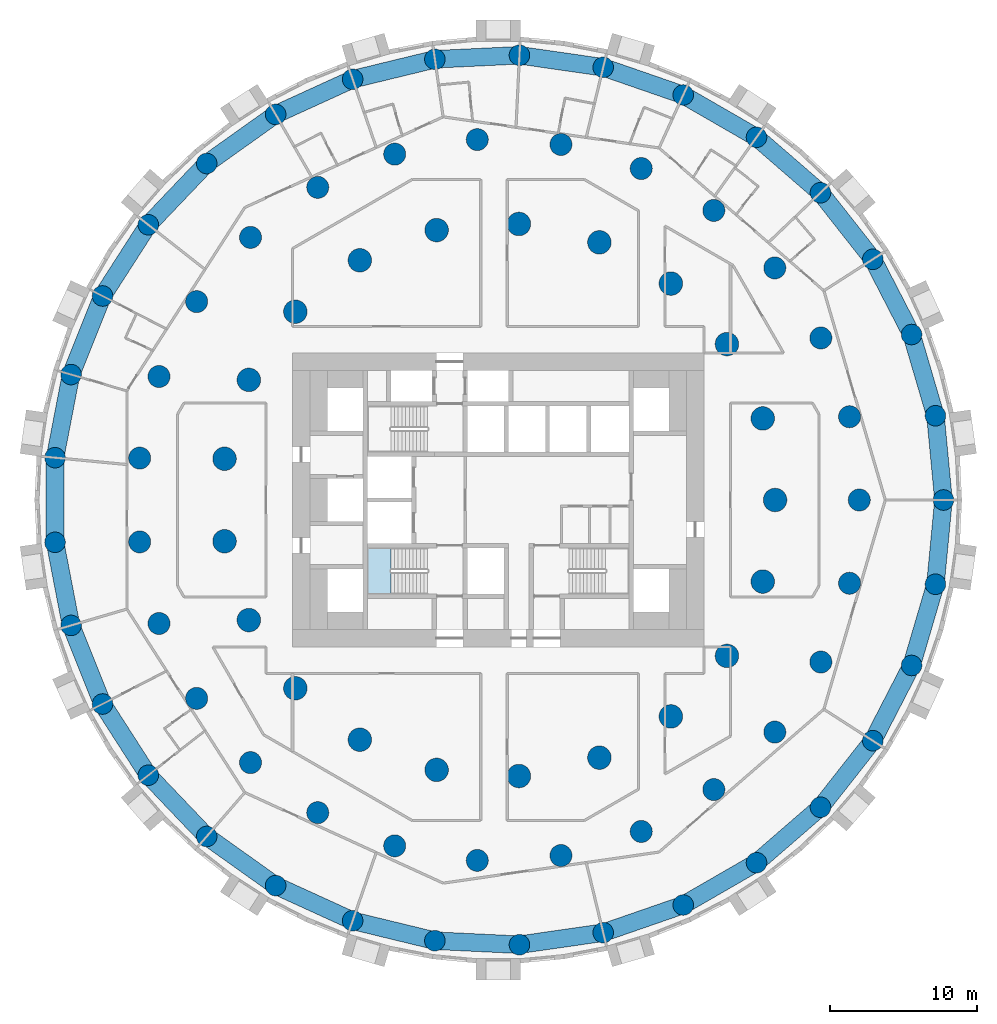
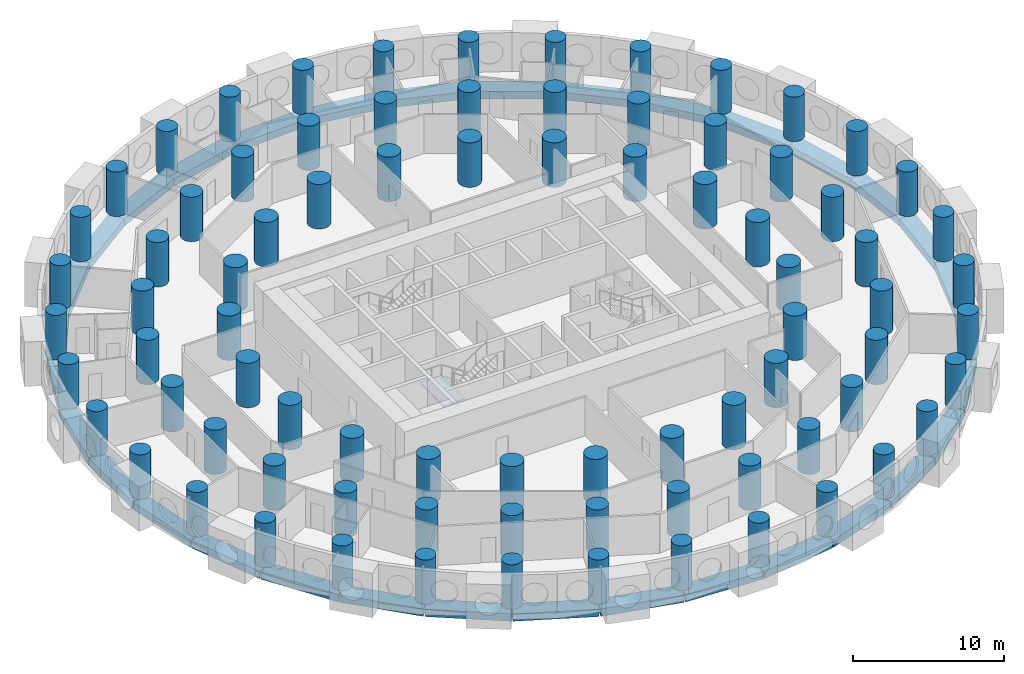
# One storey, part 1 of 12: 81 columns, 33 beams, 1 slab, 1 element without a shape of its own.
"""IFC4 building model written with IfcOpenShell, lengths in metres."""

from ifc_helpers import new_model, si_unit, direction, frame, origin, origin_2d, place, context, subcontext, project, spatial, polyline, rectangle, circle, outline, extrude, material, layer, layer_set, material_profile, profile_set, type_object, element, aggregate, save


model = new_model("IFC4")

# Units and contexts
model_context = context("Model", 3, precision=1e-05, world=origin(), true_north=direction((0.0, 1.0)))
body_context = subcontext(model_context, "Body", "Model", "MODEL_VIEW")
ifc_project = project(units=[si_unit("LENGTHUNIT", "METRE"), si_unit("AREAUNIT", "SQUARE_METRE"), si_unit("VOLUMEUNIT", "CUBIC_METRE"), si_unit("PLANEANGLEUNIT", "RADIAN"), si_unit("MASSUNIT", "GRAM", prefix="KILO")], contexts=[model_context])

# Site, building, storey
site_placement = place(None, origin())
site = spatial("IfcSite", under=ifc_project, at=site_placement, CompositionType="ELEMENT")
building_placement = place(site_placement, origin())
building = spatial("IfcBuilding", under=site, at=building_placement, Name="Tracery Tower", CompositionType="ELEMENT")
storey_placement = place(building_placement, frame((0.0, 0.0, 57.0)))
storey = spatial("IfcBuildingStorey", under=building, at=storey_placement, Name="L13", CompositionType="ELEMENT", Elevation=57.0)

# Columns
ifc_material_1 = material(Name="Concrete C60/75", Category="concrete")
ifc_material_profile_1 = material_profile(ifc_material_1, circle(Radius=0.699951171875, at=origin_2d()), Name="RC D1400")
ifc_profile_set_1 = profile_set([ifc_material_profile_1], Name="Concrete C60/75")
column_type_1 = type_object("IfcColumnType", Name="Ring 0 column 1400", PredefinedType="COLUMN", material=ifc_profile_set_1)
for number, where, z_axis, x_axis, name in (
    (1, (30.274658203125, 0.0, 0.0), (0.0, 0.0, 1.0), (1.0, 0.0, 0.0), "Ring 0 column 00 at L13"),
    (2, (29.7275390625, 5.7294921875, 0.0), (0.0, 0.0, 1.0), (1.0, 0.0, 0.0), "Ring 0 column 01 at L13"),
    (3, (28.10595703125, 11.251953125, 0.0), (0.0, 0.0, 1.0), (1.0, 0.0, 0.0), "Ring 0 column 02 at L13"),
    (4, (25.468505859375, 16.36767578125, 0.0), (0.0, 0.0, 1.0), (1.0, 0.0, 0.0), "Ring 0 column 03 at L13"),
    (5, (21.910888671875, 20.891845703125, 0.0), (0.0, 0.0, 1.0), (1.0, 0.0, 0.0), "Ring 0 column 04 at L13"),
    (6, (17.56103515625, 24.660888671875, 0.0), (0.0, 0.0, 1.0), (1.0, 0.0, 0.0), "Ring 0 column 05 at L13"),
    (7, (12.576416015625, 27.538818359375, 0.0), (0.0, 0.0, 1.0), (1.0, 0.0, 0.0), "Ring 0 column 06 at L13"),
    (8, (7.137451171875, 29.421142578125, 0.0), (0.0, 0.0, 1.0), (1.0, 0.0, 0.0), "Ring 0 column 07 at L13"),
    (9, (1.4404296875, 30.240234375, 0.0), (0.0, 0.0, 1.0), (1.0, 0.0, 0.0), "Ring 0 column 08 at L13"),
    (10, (-4.30859375, 29.96630859375, 0.0), (0.0, 0.0, 1.0), (1.0, 0.0, 0.0), "Ring 0 column 09 at L13"),
    (11, (-9.90185546875, 28.609619140625, 0.0), (0.0, 0.0, 1.0), (1.0, 0.0, 0.0), "Ring 0 column 10 at L13"),
    (12, (-15.13720703125, 26.218505859375, 0.0), (0.0, 0.0, 1.0), (1.0, 0.0, 0.0), "Ring 0 column 11 at L13"),
    (13, (-19.82568359375, 22.8798828125, 0.0), (0.0, 0.0, 1.0), (1.0, 0.0, 0.0), "Ring 0 column 12 at L13"),
    (14, (-23.79736328125, 18.714599609375, 0.0), (0.0, 0.0, 1.0), (1.0, 0.0, 0.0), "Ring 0 column 13 at L13"),
    (15, (-26.9091796875, 13.87255859375, 0.0), (0.0, 0.0, 1.0), (1.0, 0.0, 0.0), "Ring 0 column 14 at L13"),
    (16, (-29.04833984375, 8.529296875, 0.0), (0.0, 0.0, 1.0), (1.0, 0.0, 0.0), "Ring 0 column 15 at L13"),
    (17, (-30.137451171875, 2.877685546875, 0.0), (0.0, 0.0, 1.0), (1.0, 0.0, 0.0), "Ring 0 column 16 at L13"),
    (18, (-30.137451171875, -2.877685546875, 0.0), (0.0, 0.0, 1.0), (1.0, 0.0, 0.0), "Ring 0 column 17 at L13"),
    (19, (-29.04833984375, -8.529296875, 0.0), (0.0, 0.0, 1.0), (1.0, 0.0, 0.0), "Ring 0 column 18 at L13"),
    (20, (-26.9091796875, -13.87255859375, 0.0), (0.0, 0.0, 1.0), (1.0, 0.0, 0.0), "Ring 0 column 19 at L13"),
    (21, (-23.79736328125, -18.714599609375, 0.0), (0.0, 0.0, 1.0), (1.0, 0.0, 0.0), "Ring 0 column 20 at L13"),
    (22, (-19.82568359375, -22.8798828125, 0.0), (0.0, 0.0, 1.0), (1.0, 0.0, 0.0), "Ring 0 column 21 at L13"),
    (23, (-15.13720703125, -26.218505859375, 0.0), (0.0, 0.0, 1.0), (1.0, 0.0, 0.0), "Ring 0 column 22 at L13"),
    (24, (-9.90185546875, -28.609619140625, 0.0), (0.0, 0.0, 1.0), (1.0, 0.0, 0.0), "Ring 0 column 23 at L13"),
    (25, (-4.30859375, -29.96630859375, 0.0), (0.0, 0.0, 1.0), (1.0, 0.0, 0.0), "Ring 0 column 24 at L13"),
    (26, (1.4404296875, -30.240234375, 0.0), (0.0, 0.0, 1.0), (1.0, 0.0, 0.0), "Ring 0 column 25 at L13"),
    (27, (7.137451171875, -29.421142578125, 0.0), (0.0, 0.0, 1.0), (1.0, 0.0, 0.0), "Ring 0 column 26 at L13"),
    (28, (12.576416015625, -27.538818359375, 0.0), (0.0, 0.0, 1.0), (1.0, 0.0, 0.0), "Ring 0 column 27 at L13"),
    (29, (17.56103515625, -24.660888671875, 0.0), (0.0, 0.0, 1.0), (1.0, 0.0, 0.0), "Ring 0 column 28 at L13"),
    (30, (21.910888671875, -20.891845703125, 0.0), (0.0, 0.0, 1.0), (1.0, 0.0, 0.0), "Ring 0 column 29 at L13"),
    (31, (25.468505859375, -16.36767578125, 0.0), (0.0, 0.0, 1.0), (1.0, 0.0, 0.0), "Ring 0 column 30 at L13"),
    (32, (28.10595703125, -11.251953125, 0.0), (0.0, 0.0, 1.0), (1.0, 0.0, 0.0), "Ring 0 column 31 at L13"),
    (33, (29.7275390625, -5.7294921875, 0.0), (0.0, 0.0, 1.0), (1.0, 0.0, 0.0), "Ring 0 column 32 at L13"),
):
    element("IfcColumn", number, at=place(storey_placement, frame(where, z_axis=z_axis, x_axis=x_axis)), inside=storey, type_object=column_type_1, Name=name, PredefinedType="COLUMN", context=body_context, shape_type="SweptSolid", body=[
        extrude(circle(Radius=0.699951171875, at=origin_2d()), origin(), (0.0, 0.0, 1.0), 3.60009765625),
    ])
ifc_material_2 = material(Name="Concrete C60/75", Category="concrete")
ifc_material_profile_2 = material_profile(ifc_material_2, circle(Radius=0.75, at=origin_2d()), Name="RC D1500")
ifc_profile_set_2 = profile_set([ifc_material_profile_2], Name="Concrete C60/75")
column_type_2 = type_object("IfcColumnType", Name="Ring 1 column 1500", PredefinedType="COLUMN", material=ifc_profile_set_2)
for number, where, z_axis, x_axis, name in (
    (34, (24.547607421875, 0.0, 0.0), (0.0, 0.0, 1.0), (1.0, 0.0, 0.0), "Ring 1 column 00 at L13"),
    (35, (23.885986328125, 5.6611328125, 0.0), (0.0, 0.0, 1.0), (1.0, 0.0, 0.0), "Ring 1 column 01 at L13"),
    (36, (21.9365234375, 11.01708984375, 0.0), (0.0, 0.0, 1.0), (1.0, 0.0, 0.0), "Ring 1 column 02 at L13"),
    (37, (18.8046875, 15.779052734375, 0.0), (0.0, 0.0, 1.0), (1.0, 0.0, 0.0), "Ring 1 column 03 at L13"),
    (38, (14.658935546875, 19.690185546875, 0.0), (0.0, 0.0, 1.0), (1.0, 0.0, 0.0), "Ring 1 column 04 at L13"),
    (39, (9.722900390625, 22.5400390625, 0.0), (0.0, 0.0, 1.0), (1.0, 0.0, 0.0), "Ring 1 column 05 at L13"),
    (40, (4.2626953125, 24.1748046875, 0.0), (0.0, 0.0, 1.0), (1.0, 0.0, 0.0), "Ring 1 column 06 at L13"),
    (41, (-1.42724609375, 24.506103515625, 0.0), (0.0, 0.0, 1.0), (1.0, 0.0, 0.0), "Ring 1 column 07 at L13"),
    (42, (-7.040283203125, 23.516357421875, 0.0), (0.0, 0.0, 1.0), (1.0, 0.0, 0.0), "Ring 1 column 08 at L13"),
    (43, (-12.273681640625, 21.2587890625, 0.0), (0.0, 0.0, 1.0), (1.0, 0.0, 0.0), "Ring 1 column 09 at L13"),
    (44, (-16.845703125, 17.855224609375, 0.0), (0.0, 0.0, 1.0), (1.0, 0.0, 0.0), "Ring 1 column 10 at L13"),
    (45, (-20.50927734375, 13.4892578125, 0.0), (0.0, 0.0, 1.0), (1.0, 0.0, 0.0), "Ring 1 column 11 at L13"),
    (46, (-23.0673828125, 8.395751953125, 0.0), (0.0, 0.0, 1.0), (1.0, 0.0, 0.0), "Ring 1 column 12 at L13"),
    (47, (-24.381591796875, 2.849853515625, 0.0), (0.0, 0.0, 1.0), (1.0, 0.0, 0.0), "Ring 1 column 13 at L13"),
    (48, (-24.381591796875, -2.849853515625, 0.0), (0.0, 0.0, 1.0), (1.0, 0.0, 0.0), "Ring 1 column 14 at L13"),
    (49, (-23.0673828125, -8.395751953125, 0.0), (0.0, 0.0, 1.0), (1.0, 0.0, 0.0), "Ring 1 column 15 at L13"),
    (50, (-20.50927734375, -13.4892578125, 0.0), (0.0, 0.0, 1.0), (1.0, 0.0, 0.0), "Ring 1 column 16 at L13"),
    (51, (-16.845703125, -17.85546875, 0.0), (0.0, 0.0, 1.0), (1.0, 0.0, 0.0), "Ring 1 column 17 at L13"),
    (52, (-12.27392578125, -21.2587890625, 0.0), (0.0, 0.0, 1.0), (1.0, 0.0, 0.0), "Ring 1 column 18 at L13"),
    (53, (-7.040283203125, -23.516357421875, 0.0), (0.0, 0.0, 1.0), (1.0, 0.0, 0.0), "Ring 1 column 19 at L13"),
    (54, (-1.42724609375, -24.506103515625, 0.0), (0.0, 0.0, 1.0), (1.0, 0.0, 0.0), "Ring 1 column 20 at L13"),
    (55, (4.2626953125, -24.1748046875, 0.0), (0.0, 0.0, 1.0), (1.0, 0.0, 0.0), "Ring 1 column 21 at L13"),
    (56, (9.722900390625, -22.5400390625, 0.0), (0.0, 0.0, 1.0), (1.0, 0.0, 0.0), "Ring 1 column 22 at L13"),
    (57, (14.658935546875, -19.690185546875, 0.0), (0.0, 0.0, 1.0), (1.0, 0.0, 0.0), "Ring 1 column 23 at L13"),
    (58, (18.8046875, -15.779052734375, 0.0), (0.0, 0.0, 1.0), (1.0, 0.0, 0.0), "Ring 1 column 24 at L13"),
    (59, (21.9365234375, -11.01708984375, 0.0), (0.0, 0.0, 1.0), (1.0, 0.0, 0.0), "Ring 1 column 25 at L13"),
    (60, (23.885986328125, -5.6611328125, 0.0), (0.0, 0.0, 1.0), (1.0, 0.0, 0.0), "Ring 1 column 26 at L13"),
):
    element("IfcColumn", number, at=place(storey_placement, frame(where, z_axis=z_axis, x_axis=x_axis)), inside=storey, type_object=column_type_2, Name=name, PredefinedType="COLUMN", context=body_context, shape_type="SweptSolid", body=[
        extrude(circle(Radius=0.75, at=origin_2d()), origin(), (0.0, 0.0, 1.0), 3.60009765625),
    ])
ifc_material_3 = material(Name="Concrete C60/75", Category="concrete")
ifc_material_profile_3 = material_profile(ifc_material_3, circle(Radius=0.800048828125, at=origin_2d()), Name="RC D1600")
ifc_profile_set_3 = profile_set([ifc_material_profile_3], Name="Concrete C60/75")
column_type_3 = type_object("IfcColumnType", Name="Ring 2 column 1600", PredefinedType="COLUMN", material=ifc_profile_set_3)
for number, where, z_axis, x_axis, name in (
    (61, (18.822265625, 0.0, 0.0), (0.0, 0.0, 1.0), (1.0, 0.0, 0.0), "Ring 2 column 00 at L13"),
    (62, (17.986083984375, 5.5478515625, 0.0), (0.0, 0.0, 1.0), (1.0, 0.0, 0.0), "Ring 2 column 01 at L13"),
    (63, (15.551513671875, 10.602783203125, 0.0), (0.0, 0.0, 1.0), (1.0, 0.0, 0.0), "Ring 2 column 02 at L13"),
    (64, (11.7353515625, 14.7158203125, 0.0), (0.0, 0.0, 1.0), (1.0, 0.0, 0.0), "Ring 2 column 03 at L13"),
    (65, (6.87646484375, 17.52099609375, 0.0), (0.0, 0.0, 1.0), (1.0, 0.0, 0.0), "Ring 2 column 04 at L13"),
    (66, (1.406494140625, 18.76953125, 0.0), (0.0, 0.0, 1.0), (1.0, 0.0, 0.0), "Ring 2 column 05 at L13"),
    (67, (-4.188232421875, 18.350341796875, 0.0), (0.0, 0.0, 1.0), (1.0, 0.0, 0.0), "Ring 2 column 06 at L13"),
    (68, (-9.4111328125, 16.300537109375, 0.0), (0.0, 0.0, 1.0), (1.0, 0.0, 0.0), "Ring 2 column 07 at L13"),
    (69, (-13.797607421875, 12.802490234375, 0.0), (0.0, 0.0, 1.0), (1.0, 0.0, 0.0), "Ring 2 column 08 at L13"),
    (70, (-16.958251953125, 8.16650390625, 0.0), (0.0, 0.0, 1.0), (1.0, 0.0, 0.0), "Ring 2 column 09 at L13"),
    (71, (-18.612060546875, 2.805419921875, 0.0), (0.0, 0.0, 1.0), (1.0, 0.0, 0.0), "Ring 2 column 10 at L13"),
    (72, (-18.612060546875, -2.805419921875, 0.0), (0.0, 0.0, 1.0), (1.0, 0.0, 0.0), "Ring 2 column 11 at L13"),
    (73, (-16.958251953125, -8.166748046875, 0.0), (0.0, 0.0, 1.0), (1.0, 0.0, 0.0), "Ring 2 column 12 at L13"),
    (74, (-13.797607421875, -12.80224609375, 0.0), (0.0, 0.0, 1.0), (1.0, 0.0, 0.0), "Ring 2 column 13 at L13"),
    (75, (-9.4111328125, -16.300537109375, 0.0), (0.0, 0.0, 1.0), (1.0, 0.0, 0.0), "Ring 2 column 14 at L13"),
    (76, (-4.188232421875, -18.350341796875, 0.0), (0.0, 0.0, 1.0), (1.0, 0.0, 0.0), "Ring 2 column 15 at L13"),
    (77, (1.406494140625, -18.76953125, 0.0), (0.0, 0.0, 1.0), (1.0, 0.0, 0.0), "Ring 2 column 16 at L13"),
    (78, (6.87646484375, -17.52099609375, 0.0), (0.0, 0.0, 1.0), (1.0, 0.0, 0.0), "Ring 2 column 17 at L13"),
    (79, (11.7353515625, -14.7158203125, 0.0), (0.0, 0.0, 1.0), (1.0, 0.0, 0.0), "Ring 2 column 18 at L13"),
    (80, (15.551513671875, -10.602783203125, 0.0), (0.0, 0.0, 1.0), (1.0, 0.0, 0.0), "Ring 2 column 19 at L13"),
    (81, (17.986083984375, -5.5478515625, 0.0), (0.0, 0.0, 1.0), (1.0, 0.0, 0.0), "Ring 2 column 20 at L13"),
):
    element("IfcColumn", number, at=place(storey_placement, frame(where, z_axis=z_axis, x_axis=x_axis)), inside=storey, type_object=column_type_3, Name=name, PredefinedType="COLUMN", context=body_context, shape_type="SweptSolid", body=[
        extrude(circle(Radius=0.800048828125, at=origin_2d()), origin(), (0.0, 0.0, 1.0), 3.60009765625),
    ])

# Beams
ifc_material_4 = material(Name="Concrete C60/75", Category="concrete")
ifc_material_profile_4 = material_profile(ifc_material_4, rectangle(XDim=1.199951171875, YDim=0.60009765625, at=origin_2d()), Name="RC 1200x600")
ifc_profile_set_4 = profile_set([ifc_material_profile_4], Name="Concrete C60/75")
beam_type = type_object("IfcBeamType", Name="Perimeter band beam 1200x600", PredefinedType="BEAM", material=ifc_profile_set_4)
for number, where, z_axis, x_axis, name in (
    (82, (30.274658203125, 0.0, -0.75), (-0.095059309677, 0.995471610667, 0.0), (-0.995471610667, -0.095059309677, 0.0), "Perimeter beam 0.00 under L13"),
    (83, (29.7275390625, 5.7294921875, -0.75), (-0.281739145896, 0.959491038869, 0.0), (-0.959491038869, -0.281739145896, 0.0), "Perimeter beam 0.01 under L13"),
    (84, (28.10595703125, 11.251953125, -0.75), (-0.458242010493, 0.88882746347, 0.0), (-0.88882746347, -0.458242010493, 0.0), "Perimeter beam 0.02 under L13"),
):
    element("IfcBeam", number, at=place(storey_placement, frame(where, z_axis=z_axis, x_axis=x_axis)), inside=storey, type_object=beam_type, Name=name, PredefinedType="BEAM", context=body_context, shape_type="SweptSolid", body=[
        extrude(rectangle(XDim=1.199951171875, YDim=0.60009765625, at=origin_2d()), origin(), (0.0, 0.0, 1.0), 5.755615234375),
    ])
beam_1_placement = place(storey_placement, frame((25.468505859375, 16.36767578125, -0.75), z_axis=(-0.618134362257, 0.786072458618, 0.0), x_axis=(-0.786072458618, -0.618134362257, 0.0)))
element("IfcBeam", 85, at=beam_1_placement, inside=storey, type_object=beam_type, Name="Perimeter beam 0.03 under L13", PredefinedType="BEAM", context=body_context, shape_type="SweptSolid", body=[
    extrude(rectangle(XDim=1.199951171875, YDim=0.60009765625, at=origin_2d()), origin(), (0.0, 0.0, 1.0), 5.75537109375),
])
beam_2_placement = place(storey_placement, frame((21.910888671875, 20.891845703125, -0.75), z_axis=(-0.755760456715, 0.65484817482, 0.0), x_axis=(-0.65484817482, -0.755760456715, 0.0)))
element("IfcBeam", 86, at=beam_2_placement, inside=storey, type_object=beam_type, Name="Perimeter beam 0.04 under L13", PredefinedType="BEAM", context=body_context, shape_type="SweptSolid", body=[
    extrude(rectangle(XDim=1.199951171875, YDim=0.60009765625, at=origin_2d()), origin(), (0.0, 0.0, 1.0), 5.755615234375),
])
beam_3_placement = place(storey_placement, frame((17.56103515625, 24.660888671875, -0.75), z_axis=(-0.866021003874, 0.50000762079, 0.0), x_axis=(-0.50000762079, -0.866021003874, 0.0)))
element("IfcBeam", 87, at=beam_3_placement, inside=storey, type_object=beam_type, Name="Perimeter beam 0.05 under L13", PredefinedType="BEAM", context=body_context, shape_type="SweptSolid", body=[
    extrude(rectangle(XDim=1.199951171875, YDim=0.60009765625, at=origin_2d()), origin(), (0.0, 0.0, 1.0), 5.755859375),
])
beam_4_placement = place(storey_placement, frame((12.576416015625, 27.538818359375, -0.75), z_axis=(-0.945007252869, 0.327049372458, 0.0), x_axis=(-0.327049372458, -0.945007252869, 0.0)))
element("IfcBeam", 88, at=beam_4_placement, inside=storey, type_object=beam_type, Name="Perimeter beam 0.06 under L13", PredefinedType="BEAM", context=body_context, shape_type="SweptSolid", body=[
    extrude(rectangle(XDim=1.199951171875, YDim=0.60009765625, at=origin_2d()), origin(), (0.0, 0.0, 1.0), 5.75537109375),
])
for number, where, z_axis, x_axis, name in (
    (89, (7.137451171875, 29.421142578125, -0.75), (-0.989821839174, 0.142312075013, 0.0), (-0.142312075013, -0.989821839174, 0.0), "Perimeter beam 0.07 under L13"),
    (90, (1.4404296875, 30.240234375, -0.75), (-0.998866793759, -0.047593364303, 0.0), (0.047593364303, -0.998866793759, 0.0), "Perimeter beam 0.08 under L13"),
):
    element("IfcBeam", number, at=place(storey_placement, frame(where, z_axis=z_axis, x_axis=x_axis)), inside=storey, type_object=beam_type, Name=name, PredefinedType="BEAM", context=body_context, shape_type="SweptSolid", body=[
        extrude(rectangle(XDim=1.199951171875, YDim=0.60009765625, at=origin_2d()), origin(), (0.0, 0.0, 1.0), 5.755615234375),
    ])
beam_5_placement = place(storey_placement, frame((-4.30859375, 29.96630859375, -0.75), z_axis=(-0.971820371509, -0.235722645328, 0.0), x_axis=(0.235722645328, -0.971820371509, 0.0)))
element("IfcBeam", 91, at=beam_5_placement, inside=storey, type_object=beam_type, Name="Perimeter beam 0.09 under L13", PredefinedType="BEAM", context=body_context, shape_type="SweptSolid", body=[
    extrude(rectangle(XDim=1.199951171875, YDim=0.60009765625, at=origin_2d()), origin(), (0.0, 0.0, 1.0), 5.75537109375),
])
for number, where, z_axis, x_axis, name in (
    (92, (-9.90185546875, 28.609619140625, -0.75), (-0.909618316865, -0.415444963411, 0.0), (0.415444963411, -0.909618316865, 0.0), "Perimeter beam 0.10 under L13"),
    (93, (-15.13720703125, 26.218505859375, -0.75), (-0.8145780864, -0.580053912285, 0.0), (0.580053912285, -0.8145780864, 0.0), "Perimeter beam 0.11 under L13"),
):
    element("IfcBeam", number, at=place(storey_placement, frame(where, z_axis=z_axis, x_axis=x_axis)), inside=storey, type_object=beam_type, Name=name, PredefinedType="BEAM", context=body_context, shape_type="SweptSolid", body=[
        extrude(rectangle(XDim=1.199951171875, YDim=0.60009765625, at=origin_2d()), origin(), (0.0, 0.0, 1.0), 5.755615234375),
    ])
beam_6_placement = place(storey_placement, frame((-19.82568359375, 22.8798828125, -0.75), z_axis=(-0.690087218267, -0.723726212863, 0.0), x_axis=(0.723726212863, -0.690087218267, 0.0)))
element("IfcBeam", 94, at=beam_6_placement, inside=storey, type_object=beam_type, Name="Perimeter beam 0.12 under L13", PredefinedType="BEAM", context=body_context, shape_type="SweptSolid", body=[
    extrude(rectangle(XDim=1.199951171875, YDim=0.60009765625, at=origin_2d()), origin(), (0.0, 0.0, 1.0), 5.75537109375),
])
beam_7_placement = place(storey_placement, frame((-23.79736328125, 18.714599609375, -0.75), z_axis=(-0.540643964602, -0.841251510274, 0.0), x_axis=(0.841251510274, -0.540643964602, 0.0)))
element("IfcBeam", 95, at=beam_7_placement, inside=storey, type_object=beam_type, Name="Perimeter beam 0.13 under L13", PredefinedType="BEAM", context=body_context, shape_type="SweptSolid", body=[
    extrude(rectangle(XDim=1.199951171875, YDim=0.60009765625, at=origin_2d()), origin(), (0.0, 0.0, 1.0), 5.755859375),
])
for number, where, z_axis, x_axis, name in (
    (96, (-26.9091796875, 13.87255859375, -0.75), (-0.371668572289, -0.928365484264, 0.0), (0.928365484264, -0.371668572289, 0.0), "Perimeter beam 0.14 under L13"),
    (97, (-29.04833984375, 8.529296875, -0.75), (-0.189226539295, -0.981933458451, 0.0), (0.981933458451, -0.189226539295, 0.0), "Perimeter beam 0.15 under L13"),
):
    element("IfcBeam", number, at=place(storey_placement, frame(where, z_axis=z_axis, x_axis=x_axis)), inside=storey, type_object=beam_type, Name=name, PredefinedType="BEAM", context=body_context, shape_type="SweptSolid", body=[
        extrude(rectangle(XDim=1.199951171875, YDim=0.60009765625, at=origin_2d()), origin(), (0.0, 0.0, 1.0), 5.755615234375),
    ])
beam_8_placement = place(storey_placement, frame((-30.137451171875, 2.877685546875, -0.75), z_axis=(0.0, -1.0, 0.0), x_axis=(1.0, 0.0, 0.0)))
element("IfcBeam", 98, at=beam_8_placement, inside=storey, type_object=beam_type, Name="Perimeter beam 0.16 under L13", PredefinedType="BEAM", context=body_context, shape_type="SweptSolid", body=[
    extrude(rectangle(XDim=1.199951171875, YDim=0.60009765625, at=origin_2d()), origin(), (0.0, 0.0, 1.0), 5.75537109375),
])
for number, where, z_axis, x_axis, name in (
    (99, (-30.137451171875, -2.877685546875, -0.75), (0.189226539295, -0.981933458451, 0.0), (0.981933458451, 0.189226539295, 0.0), "Perimeter beam 0.17 under L13"),
    (100, (-29.04833984375, -8.529296875, -0.75), (0.371668572289, -0.928365484264, 0.0), (0.928365484264, 0.371668572289, 0.0), "Perimeter beam 0.18 under L13"),
):
    element("IfcBeam", number, at=place(storey_placement, frame(where, z_axis=z_axis, x_axis=x_axis)), inside=storey, type_object=beam_type, Name=name, PredefinedType="BEAM", context=body_context, shape_type="SweptSolid", body=[
        extrude(rectangle(XDim=1.199951171875, YDim=0.60009765625, at=origin_2d()), origin(), (0.0, 0.0, 1.0), 5.755615234375),
    ])
beam_9_placement = place(storey_placement, frame((-26.9091796875, -13.87255859375, -0.75), z_axis=(0.540643964602, -0.841251510274, 0.0), x_axis=(0.841251510274, 0.540643964602, 0.0)))
element("IfcBeam", 101, at=beam_9_placement, inside=storey, type_object=beam_type, Name="Perimeter beam 0.19 under L13", PredefinedType="BEAM", context=body_context, shape_type="SweptSolid", body=[
    extrude(rectangle(XDim=1.199951171875, YDim=0.60009765625, at=origin_2d()), origin(), (0.0, 0.0, 1.0), 5.755859375),
])
beam_10_placement = place(storey_placement, frame((-23.79736328125, -18.714599609375, -0.75), z_axis=(0.690087218267, -0.723726212863, 0.0), x_axis=(0.723726212863, 0.690087218267, 0.0)))
element("IfcBeam", 102, at=beam_10_placement, inside=storey, type_object=beam_type, Name="Perimeter beam 0.20 under L13", PredefinedType="BEAM", context=body_context, shape_type="SweptSolid", body=[
    extrude(rectangle(XDim=1.199951171875, YDim=0.60009765625, at=origin_2d()), origin(), (0.0, 0.0, 1.0), 5.75537109375),
])
for number, where, z_axis, x_axis, name in (
    (103, (-19.82568359375, -22.8798828125, -0.75), (0.8145780864, -0.580053912285, 0.0), (0.580053912285, 0.8145780864, 0.0), "Perimeter beam 0.21 under L13"),
    (104, (-15.13720703125, -26.218505859375, -0.75), (0.909618316865, -0.415444963411, 0.0), (0.415444963411, 0.909618316865, 0.0), "Perimeter beam 0.22 under L13"),
):
    element("IfcBeam", number, at=place(storey_placement, frame(where, z_axis=z_axis, x_axis=x_axis)), inside=storey, type_object=beam_type, Name=name, PredefinedType="BEAM", context=body_context, shape_type="SweptSolid", body=[
        extrude(rectangle(XDim=1.199951171875, YDim=0.60009765625, at=origin_2d()), origin(), (0.0, 0.0, 1.0), 5.755615234375),
    ])
beam_11_placement = place(storey_placement, frame((-9.90185546875, -28.609619140625, -0.75), z_axis=(0.971820371509, -0.235722645328, 0.0), x_axis=(0.235722645328, 0.971820371509, 0.0)))
element("IfcBeam", 105, at=beam_11_placement, inside=storey, type_object=beam_type, Name="Perimeter beam 0.23 under L13", PredefinedType="BEAM", context=body_context, shape_type="SweptSolid", body=[
    extrude(rectangle(XDim=1.199951171875, YDim=0.60009765625, at=origin_2d()), origin(), (0.0, 0.0, 1.0), 5.75537109375),
])
for number, where, z_axis, x_axis, name in (
    (106, (-4.30859375, -29.96630859375, -0.75), (0.998866793759, -0.047593364303, 0.0), (0.047593364303, 0.998866793759, 0.0), "Perimeter beam 0.24 under L13"),
    (107, (1.4404296875, -30.240234375, -0.75), (0.989821839174, 0.142312075013, 0.0), (-0.142312075013, 0.989821839174, 0.0), "Perimeter beam 0.25 under L13"),
):
    element("IfcBeam", number, at=place(storey_placement, frame(where, z_axis=z_axis, x_axis=x_axis)), inside=storey, type_object=beam_type, Name=name, PredefinedType="BEAM", context=body_context, shape_type="SweptSolid", body=[
        extrude(rectangle(XDim=1.199951171875, YDim=0.60009765625, at=origin_2d()), origin(), (0.0, 0.0, 1.0), 5.755615234375),
    ])
beam_12_placement = place(storey_placement, frame((7.137451171875, -29.421142578125, -0.75), z_axis=(0.945007252869, 0.327049372458, 0.0), x_axis=(-0.327049372458, 0.945007252869, 0.0)))
element("IfcBeam", 108, at=beam_12_placement, inside=storey, type_object=beam_type, Name="Perimeter beam 0.26 under L13", PredefinedType="BEAM", context=body_context, shape_type="SweptSolid", body=[
    extrude(rectangle(XDim=1.199951171875, YDim=0.60009765625, at=origin_2d()), origin(), (0.0, 0.0, 1.0), 5.75537109375),
])
beam_13_placement = place(storey_placement, frame((12.576416015625, -27.538818359375, -0.75), z_axis=(0.866021003874, 0.50000762079, 0.0), x_axis=(-0.50000762079, 0.866021003874, 0.0)))
element("IfcBeam", 109, at=beam_13_placement, inside=storey, type_object=beam_type, Name="Perimeter beam 0.27 under L13", PredefinedType="BEAM", context=body_context, shape_type="SweptSolid", body=[
    extrude(rectangle(XDim=1.199951171875, YDim=0.60009765625, at=origin_2d()), origin(), (0.0, 0.0, 1.0), 5.755859375),
])
beam_14_placement = place(storey_placement, frame((17.56103515625, -24.660888671875, -0.75), z_axis=(0.755760456715, 0.65484817482, 0.0), x_axis=(-0.65484817482, 0.755760456715, 0.0)))
element("IfcBeam", 110, at=beam_14_placement, inside=storey, type_object=beam_type, Name="Perimeter beam 0.28 under L13", PredefinedType="BEAM", context=body_context, shape_type="SweptSolid", body=[
    extrude(rectangle(XDim=1.199951171875, YDim=0.60009765625, at=origin_2d()), origin(), (0.0, 0.0, 1.0), 5.755615234375),
])
beam_15_placement = place(storey_placement, frame((21.910888671875, -20.891845703125, -0.75), z_axis=(0.618134362257, 0.786072458618, 0.0), x_axis=(-0.786072458618, 0.618134362257, 0.0)))
element("IfcBeam", 111, at=beam_15_placement, inside=storey, type_object=beam_type, Name="Perimeter beam 0.29 under L13", PredefinedType="BEAM", context=body_context, shape_type="SweptSolid", body=[
    extrude(rectangle(XDim=1.199951171875, YDim=0.60009765625, at=origin_2d()), origin(), (0.0, 0.0, 1.0), 5.75537109375),
])
for number, where, z_axis, x_axis, name in (
    (112, (25.468505859375, -16.36767578125, -0.75), (0.458242010493, 0.88882746347, 0.0), (-0.88882746347, 0.458242010493, 0.0), "Perimeter beam 0.30 under L13"),
    (113, (28.10595703125, -11.251953125, -0.75), (0.281739145896, 0.959491038869, 0.0), (-0.959491038869, 0.281739145896, 0.0), "Perimeter beam 0.31 under L13"),
    (114, (29.7275390625, -5.7294921875, -0.75), (0.095059309677, 0.995471610667, 0.0), (-0.995471610667, 0.095059309677, 0.0), "Perimeter beam 0.32 under L13"),
):
    element("IfcBeam", number, at=place(storey_placement, frame(where, z_axis=z_axis, x_axis=x_axis)), inside=storey, type_object=beam_type, Name=name, PredefinedType="BEAM", context=body_context, shape_type="SweptSolid", body=[
        extrude(rectangle(XDim=1.199951171875, YDim=0.60009765625, at=origin_2d()), origin(), (0.0, 0.0, 1.0), 5.755615234375),
    ])

# Stair, slab
ifc_material_5 = material(Name="Concrete C32/40", Category="concrete")
stair_type = type_object("IfcStairType", Name="Core stair 22 risers", PredefinedType="HALF_TURN_STAIR", material=ifc_material_5)
stair_placement = place(storey_placement, origin())
stair = element("IfcStair", 115, at=stair_placement, inside=storey, type_object=stair_type, Name="L13 stair ST1", PredefinedType="HALF_TURN_STAIR")
ifc_material_6 = material(Name="Concrete C32/40", Category="concrete")
ifc_layer = layer(ifc_material_6, 0.199951171875)
ifc_layer_set = layer_set([ifc_layer], Name="Stair landing slab 200")
slab_type = type_object("IfcSlabType", Name="Stair landing slab 200", PredefinedType="LANDING", material=ifc_layer_set)
slab_placement = place(storey_placement, frame((0.0, 0.0, 1.60009765625)))
slab = element("IfcSlab", 116, at=slab_placement, type_object=slab_type, Name="ST1 landing 1", PredefinedType="LANDING", context=body_context, shape_type="SweptSolid", body=[
    extrude(outline(polyline([(-7.29931640625, -3.25), (-8.89990234375, -3.25), (-8.89990234375, -6.39990234375), (-7.29931640625, -6.39990234375), (-7.29931640625, -3.25)])), origin(), (0.0, 0.0, 1.0), 0.199951171875),
])
aggregate(stair, [slab])

save(model, "model.ifc")
